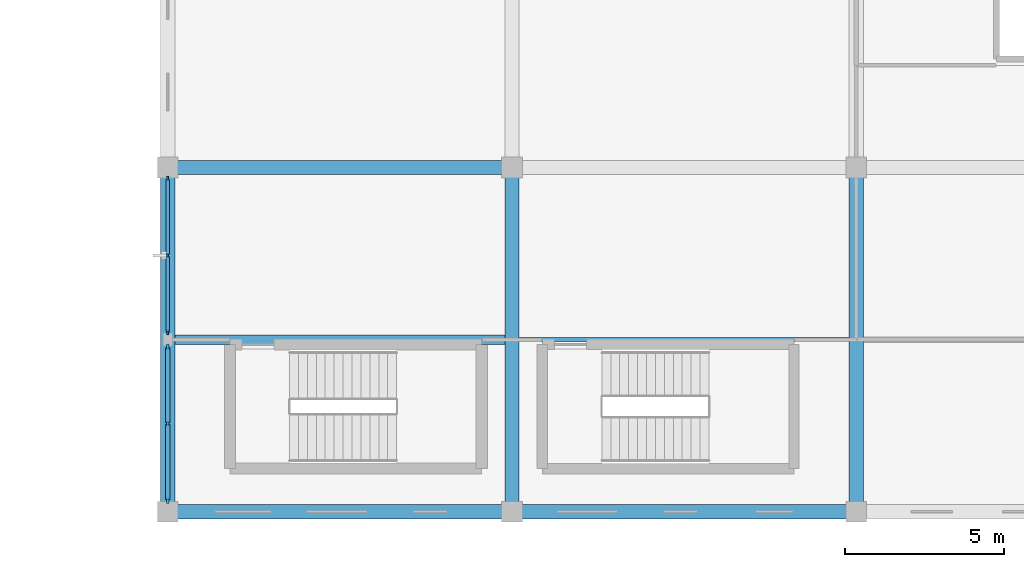
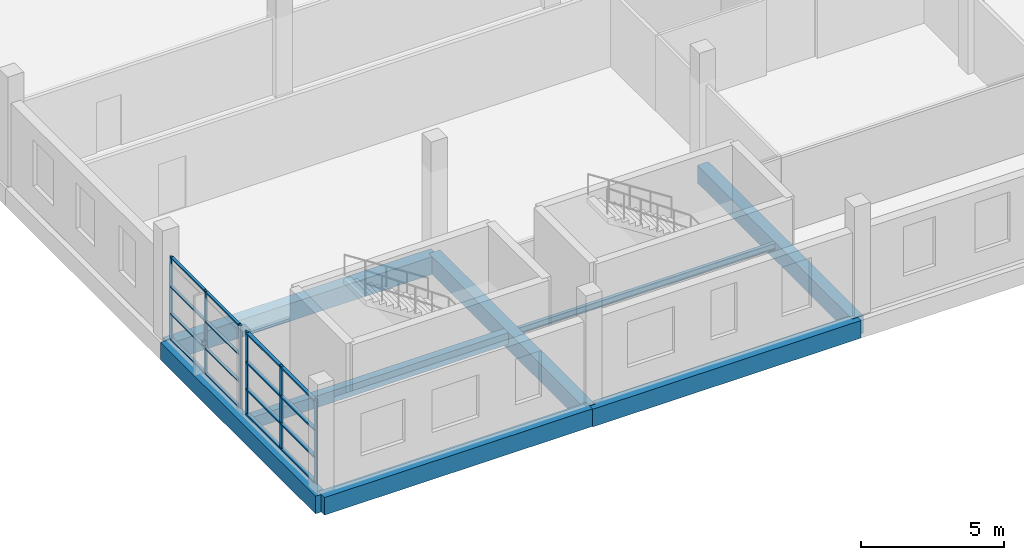
# One storey, part 3 of 24: 22 members, 8 beams, 2 elements without a shape of their own.
"""IFC4 building model written with IfcOpenShell, lengths in metres."""

from ifc_helpers import new_model, si_unit, direction, frame, origin, origin_2d, place, context, subcontext, project, spatial, rectangle, i_section, extrude, material, material_profile, profile_set, type_object, element, aggregate, save


model = new_model("IFC4")

# Units and contexts
model_context = context("Model", 3, precision=1e-05, world=origin(), true_north=direction((0.0, 1.0)))
body_context = subcontext(model_context, "Body", "Model", "MODEL_VIEW")
ifc_project = project(units=[si_unit("LENGTHUNIT", "METRE"), si_unit("AREAUNIT", "SQUARE_METRE"), si_unit("VOLUMEUNIT", "CUBIC_METRE"), si_unit("PLANEANGLEUNIT", "RADIAN"), si_unit("MASSUNIT", "GRAM", prefix="KILO")], contexts=[model_context])

# Site, building, storey
site_placement = place(None, origin())
site = spatial("IfcSite", under=ifc_project, at=site_placement, CompositionType="ELEMENT")
building_placement = place(site_placement, origin())
building = spatial("IfcBuilding", under=site, at=building_placement, Name="Zwinboog Wholesale Market", CompositionType="ELEMENT")
storey_placement = place(building_placement, frame((0.0, 0.0, 10.080078125)))
storey = spatial("IfcBuildingStorey", under=building, at=storey_placement, Name="L02", CompositionType="ELEMENT", Elevation=10.080078125)

# Beams
ifc_material_1 = material(Name="Precast concrete C45/55", Category="concrete")
ifc_material_profile_1 = material_profile(ifc_material_1, rectangle(XDim=0.449951171875, YDim=0.75, at=origin_2d()), Name="PC 450x750")
ifc_profile_set_1 = profile_set([ifc_material_profile_1], Name="Precast concrete C45/55")
beam_type_1 = type_object("IfcBeamType", Name="BT-04", PredefinedType="BEAM", material=ifc_profile_set_1)
beam_1_placement = place(storey_placement, frame((129.60009765625, 0.0, -0.655029296875), z_axis=(1.0, 0.0, 0.0), x_axis=(0.0, 1.0, 0.0)))
element("IfcBeam", 1, at=beam_1_placement, inside=storey, type_object=beam_type_1, Name="BG-04 (BMG-L02-1296-0000-0917)", PredefinedType="BEAM", context=body_context, shape_type="SweptSolid", body=[
    extrude(rectangle(XDim=0.449951171875, YDim=0.75, at=origin_2d()), origin(), (0.0, 0.0, 1.0), 10.7998046875),
])
beam_2_placement = place(storey_placement, frame((140.39990234375, 0.0, -0.68017578125), z_axis=(1.0, 0.0, 0.0), x_axis=(0.0, 1.0, 0.0)))
element("IfcBeam", 2, at=beam_2_placement, inside=storey, type_object=beam_type_1, Name="BG-04 (BMG-L02-1404-0000-0918)", PredefinedType="BEAM", context=body_context, shape_type="SweptSolid", body=[
    extrude(rectangle(XDim=0.449951171875, YDim=0.75, at=origin_2d()), origin(), (0.0, 0.0, 1.0), 10.800048828125),
])
beam_3_placement = place(storey_placement, frame((129.60009765625, 10.800048828125, -0.655029296875), z_axis=(1.0, 0.0, 0.0), x_axis=(0.0, 1.0, 0.0)))
element("IfcBeam", 3, at=beam_3_placement, inside=storey, type_object=beam_type_1, Name="BG-04 (BMG-L02-1296-0108-0925)", PredefinedType="BEAM", context=body_context, shape_type="SweptSolid", body=[
    extrude(rectangle(XDim=0.449951171875, YDim=0.75, at=origin_2d()), origin(), (0.0, 0.0, 1.0), 10.7998046875),
])
for number, where, z_axis, x_axis, name in (
    (4, (129.60009765625, 0.0, -0.655029296875), (0.0, 1.0, 0.0), (-1.0, 0.0, 0.0), "BG-04 (BMG-L02-1296-0000-0953)"),
    (5, (140.39990234375, 0.0, -0.655029296875), (0.0, 1.0, 0.0), (-1.0, 0.0, 0.0), "BG-04 (BMG-L02-1404-0000-0957)"),
    (6, (151.199951171875, 0.0, -0.68017578125), (0.0, 1.0, 0.0), (-1.0, 0.0, 0.0), "BG-04 (BMG-L02-1512-0000-0961)"),
):
    element("IfcBeam", number, at=place(storey_placement, frame(where, z_axis=z_axis, x_axis=x_axis)), inside=storey, type_object=beam_type_1, Name=name, PredefinedType="BEAM", context=body_context, shape_type="SweptSolid", body=[
        extrude(rectangle(XDim=0.449951171875, YDim=0.75, at=origin_2d()), origin(), (0.0, 0.0, 1.0), 10.800048828125),
    ])
ifc_material_profile_2 = material_profile(ifc_material_1, rectangle(XDim=0.300048828125, YDim=0.5, at=origin_2d()), Name="PC 300x500")
ifc_profile_set_2 = profile_set([ifc_material_profile_2], Name="Precast concrete C45/55")
beam_type_2 = type_object("IfcBeamType", Name="BT-10", PredefinedType="JOIST", material=ifc_profile_set_2)
beam_4_placement = place(storey_placement, frame((129.824951171875, 5.39990234375, -0.530029296875), z_axis=(1.0, 0.0, 0.0), x_axis=(0.0, 1.0, 0.0)))
element("IfcBeam", 7, at=beam_4_placement, inside=storey, type_object=beam_type_2, Name="BJ-01 (BMG-L02-1298-0054-0995)", PredefinedType="JOIST", context=body_context, shape_type="SweptSolid", body=[
    extrude(rectangle(XDim=0.300048828125, YDim=0.5, at=origin_2d()), origin(), (0.0, 0.0, 1.0), 10.35009765625),
])
ifc_material_2 = material(Name="Steel S355", Category="steel")
ifc_material_profile_3 = material_profile(ifc_material_2, i_section(OverallWidth=0.135009765625, OverallDepth=0.27001953125, WebThickness=0.006591796875, FlangeThickness=0.01025390625, FilletRadius=0.014892578125, at=origin_2d()), Name="IPE 270")
ifc_profile_set_3 = profile_set([ifc_material_profile_3], Name="Steel S355")
beam_type_3 = type_object("IfcBeamType", Name="BT-21", PredefinedType="JOIST", material=ifc_profile_set_3)
beam_5_placement = place(storey_placement, frame((140.625, 5.39990234375, -0.440185546875), z_axis=(1.0, 0.0, 0.0), x_axis=(0.0, 1.0, 0.0)))
element("IfcBeam", 8, at=beam_5_placement, inside=storey, type_object=beam_type_3, Name="SJ-04 (BMG-L02-1406-0054-0999)", PredefinedType="JOIST", context=body_context, shape_type="SweptSolid", body=[
    extrude(i_section(OverallWidth=0.135009765625, OverallDepth=0.27001953125, WebThickness=0.006591796875, FlangeThickness=0.01025390625, FilletRadius=0.014892578125, at=origin_2d()), origin(), (0.0, 0.0, 1.0), 10.35009765625),
])

# Curtain wall, members
ifc_material_3 = material(Name="Aluminium thermally broken curtain wall", Category="aluminium")
curtain_wall_type_1 = type_object("IfcCurtainWallType", Name="CWT-CAFE-22", PredefinedType="USERDEFINED", material=ifc_material_3)
curtain_wall_1_placement = place(storey_placement, origin())
curtain_wall_1 = element("IfcCurtainWall", 9, at=curtain_wall_1_placement, inside=storey, type_object=curtain_wall_type_1, Name="CW-05 (CW-L02-155)", ObjectType="STOREFRONT_GLAZING", PredefinedType="USERDEFINED")
ifc_material_4 = material(Name="Aluminium EN AW-6060", Category="aluminium")
ifc_material_profile_4 = material_profile(ifc_material_4, rectangle(XDim=0.06494140625, YDim=0.179931640625, at=origin_2d()), Name="AL 65x180")
ifc_profile_set_4 = profile_set([ifc_material_profile_4], Name="Aluminium EN AW-6060")
member_type_1 = type_object("IfcMemberType", Name="CWM-65x180", PredefinedType="MULLION", material=ifc_profile_set_4)
member_1_placement = place(storey_placement, frame((129.60009765625, 0.3525390625, 0.0), z_axis=(0.0, 0.0, 1.0), x_axis=(-1.0, 0.0, 0.0)))
member_1 = element("IfcMember", 10, at=member_1_placement, type_object=member_type_1, Name="CW-05 mullion 1", PredefinedType="MULLION", context=body_context, shape_type="SweptSolid", body=[
    extrude(rectangle(XDim=0.06494140625, YDim=0.179931640625, at=origin_2d()), origin(), (0.0, 0.0, 1.0), 3.530029296875),
])
member_2_placement = place(storey_placement, frame((129.60009765625, 2.760009765625, 0.0), z_axis=(0.0, 0.0, 1.0), x_axis=(-1.0, 0.0, 0.0)))
member_2 = element("IfcMember", 11, at=member_2_placement, type_object=member_type_1, Name="CW-05 mullion 2", PredefinedType="MULLION", context=body_context, shape_type="SweptSolid", body=[
    extrude(rectangle(XDim=0.06494140625, YDim=0.179931640625, at=origin_2d()), origin(), (0.0, 0.0, 1.0), 3.530029296875),
])
member_3_placement = place(storey_placement, frame((129.60009765625, 5.16748046875, 0.0), z_axis=(0.0, 0.0, 1.0), x_axis=(-1.0, 0.0, 0.0)))
member_3 = element("IfcMember", 12, at=member_3_placement, type_object=member_type_1, Name="CW-05 mullion 3", PredefinedType="MULLION", context=body_context, shape_type="SweptSolid", body=[
    extrude(rectangle(XDim=0.06494140625, YDim=0.179931640625, at=origin_2d()), origin(), (0.0, 0.0, 1.0), 3.530029296875),
])

curtain_wall_type_2 = type_object("IfcCurtainWallType", Name="CWT-OFF-15", PredefinedType="USERDEFINED", material=ifc_material_3)
curtain_wall_2_placement = place(storey_placement, origin())
curtain_wall_2 = element("IfcCurtainWall", 13, at=curtain_wall_2_placement, inside=storey, type_object=curtain_wall_type_2, Name="CW-06 (CW-L02-156)", ObjectType="UNITIZED_CURTAIN_WALL", PredefinedType="USERDEFINED")
ifc_material_profile_5 = material_profile(ifc_material_4, rectangle(XDim=0.06005859375, YDim=0.14990234375, at=origin_2d()), Name="AL 60x150")
ifc_profile_set_5 = profile_set([ifc_material_profile_5], Name="Aluminium EN AW-6060")
member_type_2 = type_object("IfcMemberType", Name="CWM-60x150", PredefinedType="MULLION", material=ifc_profile_set_5)
member_4_placement = place(storey_placement, frame((129.60009765625, 5.6298828125, 0.0), z_axis=(0.0, 0.0, 1.0), x_axis=(-1.0, 0.0, 0.0)))
member_4 = element("IfcMember", 14, at=member_4_placement, type_object=member_type_2, Name="CW-06 mullion 1", PredefinedType="MULLION", context=body_context, shape_type="SweptSolid", body=[
    extrude(rectangle(XDim=0.06005859375, YDim=0.14990234375, at=origin_2d()), origin(), (0.0, 0.0, 1.0), 3.530029296875),
])
member_5_placement = place(storey_placement, frame((129.60009765625, 8.0400390625, 0.0), z_axis=(0.0, 0.0, 1.0), x_axis=(-1.0, 0.0, 0.0)))
member_5 = element("IfcMember", 15, at=member_5_placement, type_object=member_type_2, Name="CW-06 mullion 2", PredefinedType="MULLION", context=body_context, shape_type="SweptSolid", body=[
    extrude(rectangle(XDim=0.06005859375, YDim=0.14990234375, at=origin_2d()), origin(), (0.0, 0.0, 1.0), 3.530029296875),
])
member_6_placement = place(storey_placement, frame((129.60009765625, 10.449951171875, 0.0), z_axis=(0.0, 0.0, 1.0), x_axis=(-1.0, 0.0, 0.0)))
member_6 = element("IfcMember", 16, at=member_6_placement, type_object=member_type_2, Name="CW-06 mullion 3", PredefinedType="MULLION", context=body_context, shape_type="SweptSolid", body=[
    extrude(rectangle(XDim=0.06005859375, YDim=0.14990234375, at=origin_2d()), origin(), (0.0, 0.0, 1.0), 3.530029296875),
])

# Member
ifc_material_profile_6 = material_profile(ifc_material_4, rectangle(XDim=0.139892578125, YDim=0.06494140625, at=origin_2d()), Name="AL 65x140")
ifc_profile_set_6 = profile_set([ifc_material_profile_6], Name="Aluminium EN AW-6060")
member_type_3 = type_object("IfcMemberType", Name="CWT-65x140", PredefinedType="USERDEFINED", material=ifc_profile_set_6)
member_7_placement = place(storey_placement, frame((129.60009765625, 0.385009765625, 0.032470703125), z_axis=(0.0, 1.0, 0.0), x_axis=(-1.0, 0.0, 0.0)))
member_7 = element("IfcMember", 17, at=member_7_placement, type_object=member_type_3, Name="CW-05 transom 1.1", ObjectType="TRANSOM", PredefinedType="USERDEFINED", context=body_context, shape_type="SweptSolid", body=[
    extrude(rectangle(XDim=0.139892578125, YDim=0.06494140625, at=origin_2d()), origin(), (0.0, 0.0, 1.0), 2.342529296875),
])

member_8_placement = place(storey_placement, frame((129.60009765625, 0.385009765625, 1.099853515625), z_axis=(0.0, 1.0, 0.0), x_axis=(-1.0, 0.0, 0.0)))
member_8 = element("IfcMember", 18, at=member_8_placement, type_object=member_type_3, Name="CW-05 transom 1.2", ObjectType="TRANSOM", PredefinedType="USERDEFINED", context=body_context, shape_type="SweptSolid", body=[
    extrude(rectangle(XDim=0.139892578125, YDim=0.06494140625, at=origin_2d()), origin(), (0.0, 0.0, 1.0), 2.342529296875),
])

member_9_placement = place(storey_placement, frame((129.60009765625, 0.385009765625, 2.25), z_axis=(0.0, 1.0, 0.0), x_axis=(-1.0, 0.0, 0.0)))
member_9 = element("IfcMember", 19, at=member_9_placement, type_object=member_type_3, Name="CW-05 transom 1.3", ObjectType="TRANSOM", PredefinedType="USERDEFINED", context=body_context, shape_type="SweptSolid", body=[
    extrude(rectangle(XDim=0.139892578125, YDim=0.06494140625, at=origin_2d()), origin(), (0.0, 0.0, 1.0), 2.342529296875),
])

member_10_placement = place(storey_placement, frame((129.60009765625, 0.385009765625, 3.497314453125), z_axis=(0.0, 1.0, 0.0), x_axis=(-1.0, 0.0, 0.0)))
member_10 = element("IfcMember", 20, at=member_10_placement, type_object=member_type_3, Name="CW-05 transom 1.4", ObjectType="TRANSOM", PredefinedType="USERDEFINED", context=body_context, shape_type="SweptSolid", body=[
    extrude(rectangle(XDim=0.139892578125, YDim=0.06494140625, at=origin_2d()), origin(), (0.0, 0.0, 1.0), 2.342529296875),
])

member_11_placement = place(storey_placement, frame((129.60009765625, 2.79248046875, 0.032470703125), z_axis=(0.0, 1.0, 0.0), x_axis=(-1.0, 0.0, 0.0)))
member_11 = element("IfcMember", 21, at=member_11_placement, type_object=member_type_3, Name="CW-05 transom 2.1", ObjectType="TRANSOM", PredefinedType="USERDEFINED", context=body_context, shape_type="SweptSolid", body=[
    extrude(rectangle(XDim=0.139892578125, YDim=0.06494140625, at=origin_2d()), origin(), (0.0, 0.0, 1.0), 2.342529296875),
])

member_12_placement = place(storey_placement, frame((129.60009765625, 2.79248046875, 1.099853515625), z_axis=(0.0, 1.0, 0.0), x_axis=(-1.0, 0.0, 0.0)))
member_12 = element("IfcMember", 22, at=member_12_placement, type_object=member_type_3, Name="CW-05 transom 2.2", ObjectType="TRANSOM", PredefinedType="USERDEFINED", context=body_context, shape_type="SweptSolid", body=[
    extrude(rectangle(XDim=0.139892578125, YDim=0.06494140625, at=origin_2d()), origin(), (0.0, 0.0, 1.0), 2.342529296875),
])

member_13_placement = place(storey_placement, frame((129.60009765625, 2.79248046875, 2.25), z_axis=(0.0, 1.0, 0.0), x_axis=(-1.0, 0.0, 0.0)))
member_13 = element("IfcMember", 23, at=member_13_placement, type_object=member_type_3, Name="CW-05 transom 2.3", ObjectType="TRANSOM", PredefinedType="USERDEFINED", context=body_context, shape_type="SweptSolid", body=[
    extrude(rectangle(XDim=0.139892578125, YDim=0.06494140625, at=origin_2d()), origin(), (0.0, 0.0, 1.0), 2.342529296875),
])

member_14_placement = place(storey_placement, frame((129.60009765625, 2.79248046875, 3.497314453125), z_axis=(0.0, 1.0, 0.0), x_axis=(-1.0, 0.0, 0.0)))
member_14 = element("IfcMember", 24, at=member_14_placement, type_object=member_type_3, Name="CW-05 transom 2.4", ObjectType="TRANSOM", PredefinedType="USERDEFINED", context=body_context, shape_type="SweptSolid", body=[
    extrude(rectangle(XDim=0.139892578125, YDim=0.06494140625, at=origin_2d()), origin(), (0.0, 0.0, 1.0), 2.342529296875),
])

aggregate(curtain_wall_1, [member_1, member_2, member_3, member_7, member_8, member_9, member_10, member_11, member_12, member_13, member_14])

ifc_material_profile_7 = material_profile(ifc_material_4, rectangle(XDim=0.110107421875, YDim=0.06005859375, at=origin_2d()), Name="AL 60x110")
ifc_profile_set_7 = profile_set([ifc_material_profile_7], Name="Aluminium EN AW-6060")
member_type_4 = type_object("IfcMemberType", Name="CWT-60x110", PredefinedType="USERDEFINED", material=ifc_profile_set_7)
member_15_placement = place(storey_placement, frame((129.60009765625, 5.659912109375, 0.030029296875), z_axis=(0.0, 1.0, 0.0), x_axis=(-1.0, 0.0, 0.0)))
member_15 = element("IfcMember", 25, at=member_15_placement, type_object=member_type_4, Name="CW-06 transom 1.1", ObjectType="TRANSOM", PredefinedType="USERDEFINED", context=body_context, shape_type="SweptSolid", body=[
    extrude(rectangle(XDim=0.110107421875, YDim=0.06005859375, at=origin_2d()), origin(), (0.0, 0.0, 1.0), 2.35009765625),
])

member_16_placement = place(storey_placement, frame((129.60009765625, 5.659912109375, 1.099853515625), z_axis=(0.0, 1.0, 0.0), x_axis=(-1.0, 0.0, 0.0)))
member_16 = element("IfcMember", 26, at=member_16_placement, type_object=member_type_4, Name="CW-06 transom 1.2", ObjectType="TRANSOM", PredefinedType="USERDEFINED", context=body_context, shape_type="SweptSolid", body=[
    extrude(rectangle(XDim=0.110107421875, YDim=0.06005859375, at=origin_2d()), origin(), (0.0, 0.0, 1.0), 2.35009765625),
])

member_17_placement = place(storey_placement, frame((129.60009765625, 5.659912109375, 2.25), z_axis=(0.0, 1.0, 0.0), x_axis=(-1.0, 0.0, 0.0)))
member_17 = element("IfcMember", 27, at=member_17_placement, type_object=member_type_4, Name="CW-06 transom 1.3", ObjectType="TRANSOM", PredefinedType="USERDEFINED", context=body_context, shape_type="SweptSolid", body=[
    extrude(rectangle(XDim=0.110107421875, YDim=0.06005859375, at=origin_2d()), origin(), (0.0, 0.0, 1.0), 2.35009765625),
])

member_18_placement = place(storey_placement, frame((129.60009765625, 5.659912109375, 3.5), z_axis=(0.0, 1.0, 0.0), x_axis=(-1.0, 0.0, 0.0)))
member_18 = element("IfcMember", 28, at=member_18_placement, type_object=member_type_4, Name="CW-06 transom 1.4", ObjectType="TRANSOM", PredefinedType="USERDEFINED", context=body_context, shape_type="SweptSolid", body=[
    extrude(rectangle(XDim=0.110107421875, YDim=0.06005859375, at=origin_2d()), origin(), (0.0, 0.0, 1.0), 2.35009765625),
])

member_19_placement = place(storey_placement, frame((129.60009765625, 8.070068359375, 0.030029296875), z_axis=(0.0, 1.0, 0.0), x_axis=(-1.0, 0.0, 0.0)))
member_19 = element("IfcMember", 29, at=member_19_placement, type_object=member_type_4, Name="CW-06 transom 2.1", ObjectType="TRANSOM", PredefinedType="USERDEFINED", context=body_context, shape_type="SweptSolid", body=[
    extrude(rectangle(XDim=0.110107421875, YDim=0.06005859375, at=origin_2d()), origin(), (0.0, 0.0, 1.0), 2.349853515625),
])

member_20_placement = place(storey_placement, frame((129.60009765625, 8.070068359375, 1.099853515625), z_axis=(0.0, 1.0, 0.0), x_axis=(-1.0, 0.0, 0.0)))
member_20 = element("IfcMember", 30, at=member_20_placement, type_object=member_type_4, Name="CW-06 transom 2.2", ObjectType="TRANSOM", PredefinedType="USERDEFINED", context=body_context, shape_type="SweptSolid", body=[
    extrude(rectangle(XDim=0.110107421875, YDim=0.06005859375, at=origin_2d()), origin(), (0.0, 0.0, 1.0), 2.349853515625),
])

member_21_placement = place(storey_placement, frame((129.60009765625, 8.070068359375, 2.25), z_axis=(0.0, 1.0, 0.0), x_axis=(-1.0, 0.0, 0.0)))
member_21 = element("IfcMember", 31, at=member_21_placement, type_object=member_type_4, Name="CW-06 transom 2.3", ObjectType="TRANSOM", PredefinedType="USERDEFINED", context=body_context, shape_type="SweptSolid", body=[
    extrude(rectangle(XDim=0.110107421875, YDim=0.06005859375, at=origin_2d()), origin(), (0.0, 0.0, 1.0), 2.349853515625),
])

member_22_placement = place(storey_placement, frame((129.60009765625, 8.070068359375, 3.5), z_axis=(0.0, 1.0, 0.0), x_axis=(-1.0, 0.0, 0.0)))
member_22 = element("IfcMember", 32, at=member_22_placement, type_object=member_type_4, Name="CW-06 transom 2.4", ObjectType="TRANSOM", PredefinedType="USERDEFINED", context=body_context, shape_type="SweptSolid", body=[
    extrude(rectangle(XDim=0.110107421875, YDim=0.06005859375, at=origin_2d()), origin(), (0.0, 0.0, 1.0), 2.349853515625),
])

aggregate(curtain_wall_2, [member_4, member_5, member_6, member_15, member_16, member_17, member_18, member_19, member_20, member_21, member_22])

save(model, "model.ifc")
